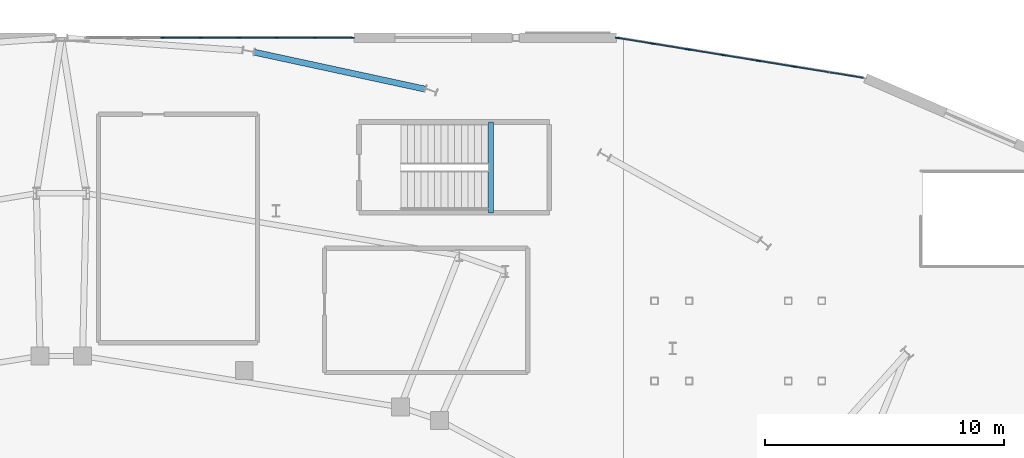
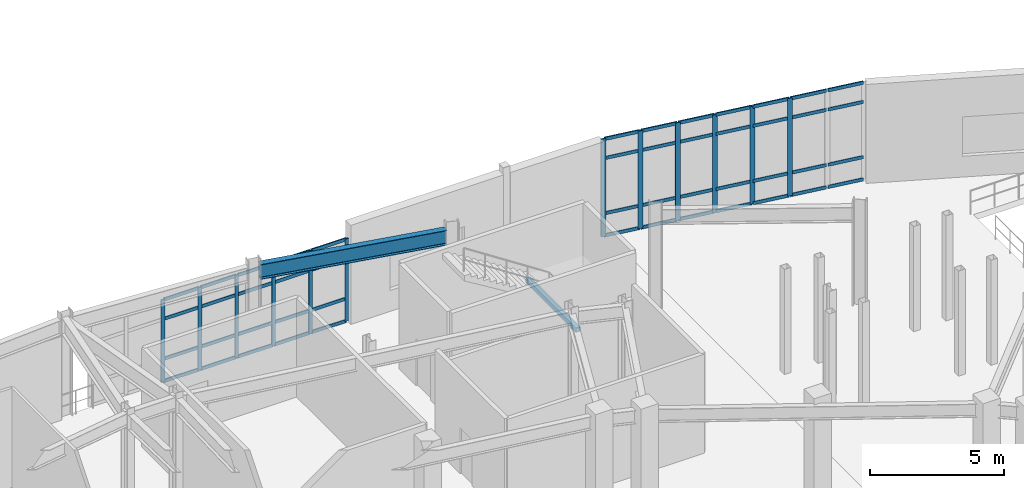
# One storey, part 46 of 86: 60 members, 2 beams, 2 elements without a shape of their own.
"""IFC4 building model written with IfcOpenShell, lengths in metres."""

from ifc_helpers import new_model, si_unit, direction, frame, origin, origin_2d, place, context, subcontext, project, spatial, rectangle, hollow_rectangle, i_section, extrude, material, material_profile, profile_set, type_object, element, aggregate, save


model = new_model("IFC4")

# Units and contexts
model_context = context("Model", 3, precision=1e-05, world=origin(), true_north=direction((0.0, 1.0)))
body_context = subcontext(model_context, "Body", "Model", "MODEL_VIEW")
ifc_project = project(units=[si_unit("LENGTHUNIT", "METRE"), si_unit("AREAUNIT", "SQUARE_METRE"), si_unit("VOLUMEUNIT", "CUBIC_METRE"), si_unit("PLANEANGLEUNIT", "RADIAN"), si_unit("MASSUNIT", "GRAM", prefix="KILO")], contexts=[model_context])

# Site, building, storey
site_placement = place(None, origin())
site = spatial("IfcSite", under=ifc_project, at=site_placement, CompositionType="ELEMENT")
building_placement = place(site_placement, origin())
building = spatial("IfcBuilding", under=site, at=building_placement, Name="Glasvene Arena", CompositionType="ELEMENT")
storey_placement = place(building_placement, frame((0.0, 0.0, 5.39990234375)))
storey = spatial("IfcBuildingStorey", under=building, at=storey_placement, Name="L01", CompositionType="ELEMENT", Elevation=5.39990234375)

# Beams
ifc_material_1 = material(Name="Steel S355J2", Category="steel")
ifc_material_profile_1 = material_profile(ifc_material_1, i_section(OverallWidth=0.253662109375, OverallDepth=0.68359375, WebThickness=0.012451171875, FlangeThickness=0.01904296875, FilletRadius=0.01513671875, at=origin_2d()), Name="UKB 686x254x140")
ifc_profile_set_1 = profile_set([ifc_material_profile_1], Name="Steel S355J2")
beam_type_1 = type_object("IfcBeamType", Name="BM-GIRD-686", PredefinedType="BEAM", material=ifc_profile_set_1)
beam_1_placement = place(storey_placement, frame((107.21630859375, 115.84814453125, 4.178466796875), z_axis=(-0.97744150895, 0.211206289161, 0.0), x_axis=(-0.211206289161, -0.97744150895, 0.0)))
element("IfcBeam", 1, at=beam_1_placement, inside=storey, type_object=beam_type_1, Name="Bowl ring chord beam L01-09", PredefinedType="BEAM", context=body_context, shape_type="SweptSolid", body=[
    extrude(i_section(OverallWidth=0.253662109375, OverallDepth=0.68359375, WebThickness=0.012451171875, FlangeThickness=0.01904296875, FilletRadius=0.01513671875, at=origin_2d()), origin(), (0.0, 0.0, 1.0), 7.3251953125),
])
ifc_material_profile_2 = material_profile(ifc_material_1, hollow_rectangle(XDim=0.199951171875, YDim=0.199951171875, WallThickness=0.010009765625, at=origin_2d()), Name="SHS 200x200x10.0")
ifc_profile_set_2 = profile_set([ifc_material_profile_2], Name="Steel S355J2")
beam_type_2 = type_object("IfcBeamType", Name="BM-LINTEL-200", PredefinedType="LINTEL", material=ifc_profile_set_2)
beam_2_placement = place(storey_placement, frame((109.9599609375, 110.679931640625, 2.080078125), z_axis=(0.0, 1.0, 0.0), x_axis=(-1.0, 0.0, 0.0)))
element("IfcBeam", 2, at=beam_2_placement, inside=storey, type_object=beam_type_2, Name="Stair half-landing support beam ST-11-L01", PredefinedType="LINTEL", context=body_context, shape_type="SweptSolid", body=[
    extrude(hollow_rectangle(XDim=0.199951171875, YDim=0.199951171875, WallThickness=0.010009765625, at=origin_2d()), origin(), (0.0, 0.0, 1.0), 3.7900390625),
])

# Curtain wall, members
ifc_material_2 = material(Name="Low-emissivity laminated double glazing", Category="glass")
curtain_wall_type_1 = type_object("IfcCurtainWallType", Name="CW-FAC-L01-1116x377", PredefinedType="USERDEFINED", material=ifc_material_2)
curtain_wall_1_placement = place(storey_placement, frame((93.0400390625, 118.0, 0.0)))
curtain_wall_1 = element("IfcCurtainWall", 3, at=curtain_wall_1_placement, inside=storey, type_object=curtain_wall_type_1, Name="Unitised curtain wall CW-F-L01-150-986-1180-13", ObjectType="CURTAIN WALL", PredefinedType="USERDEFINED")
ifc_material_3 = material(Name="Anodised architectural aluminium", Category="aluminium")
ifc_material_profile_3 = material_profile(ifc_material_3, rectangle(XDim=0.050048828125, YDim=0.159912109375, at=origin_2d()), Name="ALU MULLION 50x160")
ifc_profile_set_3 = profile_set([ifc_material_profile_3], Name="Anodised architectural aluminium")
member_type_1 = type_object("IfcMemberType", Name="CW-MUL-150", PredefinedType="MULLION", material=ifc_profile_set_3)
member_1_placement = place(storey_placement, frame((96.228515625, 118.0, 0.06005859375), z_axis=(0.0, 0.0, 1.0), x_axis=(0.0, 1.0, 0.0)))
member_1 = element("IfcMember", 4, at=member_1_placement, type_object=member_type_1, Name="CW-009 mullion 3", PredefinedType="MULLION", context=body_context, shape_type="SweptSolid", body=[
    extrude(rectangle(XDim=0.050048828125, YDim=0.159912109375, at=origin_2d()), origin(), (0.0, 0.0, 1.0), 3.77197265625),
])
member_2_placement = place(storey_placement, frame((97.82275390625, 118.0, 0.06005859375), z_axis=(0.0, 0.0, 1.0), x_axis=(0.0, 1.0, 0.0)))
member_2 = element("IfcMember", 5, at=member_2_placement, type_object=member_type_1, Name="CW-009 mullion 4", PredefinedType="MULLION", context=body_context, shape_type="SweptSolid", body=[
    extrude(rectangle(XDim=0.050048828125, YDim=0.159912109375, at=origin_2d()), origin(), (0.0, 0.0, 1.0), 3.77197265625),
])
member_3_placement = place(storey_placement, frame((99.4169921875, 118.0, 0.06005859375), z_axis=(0.0, 0.0, 1.0), x_axis=(0.0, 1.0, 0.0)))
member_3 = element("IfcMember", 6, at=member_3_placement, type_object=member_type_1, Name="CW-009 mullion 5", PredefinedType="MULLION", context=body_context, shape_type="SweptSolid", body=[
    extrude(rectangle(XDim=0.050048828125, YDim=0.159912109375, at=origin_2d()), origin(), (0.0, 0.0, 1.0), 3.77197265625),
])
member_4_placement = place(storey_placement, frame((101.01123046875, 118.0, 0.06005859375), z_axis=(0.0, 0.0, 1.0), x_axis=(0.0, 1.0, 0.0)))
member_4 = element("IfcMember", 7, at=member_4_placement, type_object=member_type_1, Name="CW-009 mullion 6", PredefinedType="MULLION", context=body_context, shape_type="SweptSolid", body=[
    extrude(rectangle(XDim=0.050048828125, YDim=0.159912109375, at=origin_2d()), origin(), (0.0, 0.0, 1.0), 3.77197265625),
])
member_5_placement = place(storey_placement, frame((102.60546875, 118.0, 0.06005859375), z_axis=(0.0, 0.0, 1.0), x_axis=(0.0, 1.0, 0.0)))
member_5 = element("IfcMember", 8, at=member_5_placement, type_object=member_type_1, Name="CW-009 mullion 7", PredefinedType="MULLION", context=body_context, shape_type="SweptSolid", body=[
    extrude(rectangle(XDim=0.050048828125, YDim=0.159912109375, at=origin_2d()), origin(), (0.0, 0.0, 1.0), 3.77197265625),
])
member_6_placement = place(storey_placement, frame((104.1748046875, 118.0, 0.06005859375), z_axis=(0.0, 0.0, 1.0), x_axis=(0.0, 1.0, 0.0)))
member_6 = element("IfcMember", 9, at=member_6_placement, type_object=member_type_1, Name="CW-009 mullion 8", PredefinedType="MULLION", context=body_context, shape_type="SweptSolid", body=[
    extrude(rectangle(XDim=0.050048828125, YDim=0.159912109375, at=origin_2d()), origin(), (0.0, 0.0, 1.0), 3.77197265625),
])

curtain_wall_type_2 = type_object("IfcCurtainWallType", Name="CW-FAC-L01-1047x446", PredefinedType="USERDEFINED", material=ifc_material_2)
curtain_wall_2_placement = place(storey_placement, frame((115.242431640625, 117.99365234375, 0.0)))
curtain_wall_2 = element("IfcCurtainWall", 10, at=curtain_wall_2_placement, inside=storey, type_object=curtain_wall_type_2, Name="Unitised curtain wall CW-F-L01-180-1204-1172-16", ObjectType="CURTAIN WALL", PredefinedType="USERDEFINED")
ifc_material_profile_4 = material_profile(ifc_material_3, rectangle(XDim=0.050048828125, YDim=0.199951171875, at=origin_2d()), Name="ALU MULLION 50x200")
ifc_profile_set_4 = profile_set([ifc_material_profile_4], Name="Anodised architectural aluminium")
member_type_2 = type_object("IfcMemberType", Name="CW-MUL-180", PredefinedType="MULLION", material=ifc_profile_set_4)
member_7_placement = place(storey_placement, frame((115.26708984375, 117.989501953125, 0.06005859375), z_axis=(0.0, 0.0, 1.0), x_axis=(0.160367114184, 0.987057439407, 0.0)))
member_7 = element("IfcMember", 11, at=member_7_placement, type_object=member_type_2, Name="CW-008 mullion 1", PredefinedType="MULLION", context=body_context, shape_type="SweptSolid", body=[
    extrude(rectangle(XDim=0.050048828125, YDim=0.199951171875, at=origin_2d()), origin(), (0.0, 0.0, 1.0), 4.4599609375),
])
member_8_placement = place(storey_placement, frame((116.71923828125, 117.753662109375, 0.06005859375), z_axis=(0.0, 0.0, 1.0), x_axis=(0.160367114184, 0.987057439407, 0.0)))
member_8 = element("IfcMember", 12, at=member_8_placement, type_object=member_type_2, Name="CW-008 mullion 2", PredefinedType="MULLION", context=body_context, shape_type="SweptSolid", body=[
    extrude(rectangle(XDim=0.050048828125, YDim=0.199951171875, at=origin_2d()), origin(), (0.0, 0.0, 1.0), 4.4599609375),
])
member_9_placement = place(storey_placement, frame((118.19580078125, 117.513671875, 0.06005859375), z_axis=(0.0, 0.0, 1.0), x_axis=(0.160367114184, 0.987057439407, 0.0)))
member_9 = element("IfcMember", 13, at=member_9_placement, type_object=member_type_2, Name="CW-008 mullion 3", PredefinedType="MULLION", context=body_context, shape_type="SweptSolid", body=[
    extrude(rectangle(XDim=0.050048828125, YDim=0.199951171875, at=origin_2d()), origin(), (0.0, 0.0, 1.0), 4.4599609375),
])
member_10_placement = place(storey_placement, frame((119.672607421875, 117.27392578125, 0.06005859375), z_axis=(0.0, 0.0, 1.0), x_axis=(0.160367114184, 0.987057439407, 0.0)))
member_10 = element("IfcMember", 14, at=member_10_placement, type_object=member_type_2, Name="CW-008 mullion 4", PredefinedType="MULLION", context=body_context, shape_type="SweptSolid", body=[
    extrude(rectangle(XDim=0.050048828125, YDim=0.199951171875, at=origin_2d()), origin(), (0.0, 0.0, 1.0), 4.4599609375),
])
member_11_placement = place(storey_placement, frame((121.1494140625, 117.033935546875, 0.06005859375), z_axis=(0.0, 0.0, 1.0), x_axis=(0.160367114184, 0.987057439407, 0.0)))
member_11 = element("IfcMember", 15, at=member_11_placement, type_object=member_type_2, Name="CW-008 mullion 5", PredefinedType="MULLION", context=body_context, shape_type="SweptSolid", body=[
    extrude(rectangle(XDim=0.050048828125, YDim=0.199951171875, at=origin_2d()), origin(), (0.0, 0.0, 1.0), 4.4599609375),
])
member_12_placement = place(storey_placement, frame((122.626220703125, 116.7939453125, 0.06005859375), z_axis=(0.0, 0.0, 1.0), x_axis=(0.160367114184, 0.987057439407, 0.0)))
member_12 = element("IfcMember", 16, at=member_12_placement, type_object=member_type_2, Name="CW-008 mullion 6", PredefinedType="MULLION", context=body_context, shape_type="SweptSolid", body=[
    extrude(rectangle(XDim=0.050048828125, YDim=0.199951171875, at=origin_2d()), origin(), (0.0, 0.0, 1.0), 4.4599609375),
])

# Member
ifc_material_profile_5 = material_profile(ifc_material_3, rectangle(XDim=0.050048828125, YDim=0.14990234375, at=origin_2d()), Name="ALU TRANSOM 50x150")
ifc_profile_set_5 = profile_set([ifc_material_profile_5], Name="Anodised architectural aluminium")
member_type_3 = type_object("IfcMemberType", Name="CW-TRN-150", PredefinedType="USERDEFINED", material=ifc_profile_set_5)
member_13_placement = place(storey_placement, frame((96.25341796875, 118.0, 0.085205078125), z_axis=(1.0, 0.0, 0.0), x_axis=(0.0, 1.0, 0.0)))
member_13 = element("IfcMember", 17, at=member_13_placement, type_object=member_type_3, Name="CW-009 transom 3.1", ObjectType="TRANSOM", PredefinedType="USERDEFINED", context=body_context, shape_type="SweptSolid", body=[
    extrude(rectangle(XDim=0.050048828125, YDim=0.14990234375, at=origin_2d()), origin(), (0.0, 0.0, 1.0), 1.54443359375),
])

member_14_placement = place(storey_placement, frame((96.25341796875, 118.0, 1.10009765625), z_axis=(1.0, 0.0, 0.0), x_axis=(0.0, 1.0, 0.0)))
member_14 = element("IfcMember", 18, at=member_14_placement, type_object=member_type_3, Name="CW-009 transom 3.2", ObjectType="TRANSOM", PredefinedType="USERDEFINED", context=body_context, shape_type="SweptSolid", body=[
    extrude(rectangle(XDim=0.050048828125, YDim=0.14990234375, at=origin_2d()), origin(), (0.0, 0.0, 1.0), 1.54443359375),
])

member_15_placement = place(storey_placement, frame((96.25341796875, 118.0, 2.93212890625), z_axis=(1.0, 0.0, 0.0), x_axis=(0.0, 1.0, 0.0)))
member_15 = element("IfcMember", 19, at=member_15_placement, type_object=member_type_3, Name="CW-009 transom 3.3", ObjectType="TRANSOM", PredefinedType="USERDEFINED", context=body_context, shape_type="SweptSolid", body=[
    extrude(rectangle(XDim=0.050048828125, YDim=0.14990234375, at=origin_2d()), origin(), (0.0, 0.0, 1.0), 1.54443359375),
])

member_16_placement = place(storey_placement, frame((96.25341796875, 118.0, 3.80712890625), z_axis=(1.0, 0.0, 0.0), x_axis=(0.0, 1.0, 0.0)))
member_16 = element("IfcMember", 20, at=member_16_placement, type_object=member_type_3, Name="CW-009 transom 3.4", ObjectType="TRANSOM", PredefinedType="USERDEFINED", context=body_context, shape_type="SweptSolid", body=[
    extrude(rectangle(XDim=0.050048828125, YDim=0.14990234375, at=origin_2d()), origin(), (0.0, 0.0, 1.0), 1.54443359375),
])

member_17_placement = place(storey_placement, frame((97.84765625, 118.0, 0.085205078125), z_axis=(1.0, 0.0, 0.0), x_axis=(0.0, 1.0, 0.0)))
member_17 = element("IfcMember", 21, at=member_17_placement, type_object=member_type_3, Name="CW-009 transom 4.1", ObjectType="TRANSOM", PredefinedType="USERDEFINED", context=body_context, shape_type="SweptSolid", body=[
    extrude(rectangle(XDim=0.050048828125, YDim=0.14990234375, at=origin_2d()), origin(), (0.0, 0.0, 1.0), 1.54443359375),
])

member_18_placement = place(storey_placement, frame((97.84765625, 118.0, 1.10009765625), z_axis=(1.0, 0.0, 0.0), x_axis=(0.0, 1.0, 0.0)))
member_18 = element("IfcMember", 22, at=member_18_placement, type_object=member_type_3, Name="CW-009 transom 4.2", ObjectType="TRANSOM", PredefinedType="USERDEFINED", context=body_context, shape_type="SweptSolid", body=[
    extrude(rectangle(XDim=0.050048828125, YDim=0.14990234375, at=origin_2d()), origin(), (0.0, 0.0, 1.0), 1.54443359375),
])

member_19_placement = place(storey_placement, frame((97.84765625, 118.0, 2.93212890625), z_axis=(1.0, 0.0, 0.0), x_axis=(0.0, 1.0, 0.0)))
member_19 = element("IfcMember", 23, at=member_19_placement, type_object=member_type_3, Name="CW-009 transom 4.3", ObjectType="TRANSOM", PredefinedType="USERDEFINED", context=body_context, shape_type="SweptSolid", body=[
    extrude(rectangle(XDim=0.050048828125, YDim=0.14990234375, at=origin_2d()), origin(), (0.0, 0.0, 1.0), 1.54443359375),
])

member_20_placement = place(storey_placement, frame((97.84765625, 118.0, 3.80712890625), z_axis=(1.0, 0.0, 0.0), x_axis=(0.0, 1.0, 0.0)))
member_20 = element("IfcMember", 24, at=member_20_placement, type_object=member_type_3, Name="CW-009 transom 4.4", ObjectType="TRANSOM", PredefinedType="USERDEFINED", context=body_context, shape_type="SweptSolid", body=[
    extrude(rectangle(XDim=0.050048828125, YDim=0.14990234375, at=origin_2d()), origin(), (0.0, 0.0, 1.0), 1.54443359375),
])

member_21_placement = place(storey_placement, frame((99.442138671875, 118.0, 0.085205078125), z_axis=(1.0, 0.0, 0.0), x_axis=(0.0, 1.0, 0.0)))
member_21 = element("IfcMember", 25, at=member_21_placement, type_object=member_type_3, Name="CW-009 transom 5.1", ObjectType="TRANSOM", PredefinedType="USERDEFINED", context=body_context, shape_type="SweptSolid", body=[
    extrude(rectangle(XDim=0.050048828125, YDim=0.14990234375, at=origin_2d()), origin(), (0.0, 0.0, 1.0), 1.544189453125),
])

member_22_placement = place(storey_placement, frame((99.442138671875, 118.0, 1.10009765625), z_axis=(1.0, 0.0, 0.0), x_axis=(0.0, 1.0, 0.0)))
member_22 = element("IfcMember", 26, at=member_22_placement, type_object=member_type_3, Name="CW-009 transom 5.2", ObjectType="TRANSOM", PredefinedType="USERDEFINED", context=body_context, shape_type="SweptSolid", body=[
    extrude(rectangle(XDim=0.050048828125, YDim=0.14990234375, at=origin_2d()), origin(), (0.0, 0.0, 1.0), 1.544189453125),
])

member_23_placement = place(storey_placement, frame((99.442138671875, 118.0, 2.93212890625), z_axis=(1.0, 0.0, 0.0), x_axis=(0.0, 1.0, 0.0)))
member_23 = element("IfcMember", 27, at=member_23_placement, type_object=member_type_3, Name="CW-009 transom 5.3", ObjectType="TRANSOM", PredefinedType="USERDEFINED", context=body_context, shape_type="SweptSolid", body=[
    extrude(rectangle(XDim=0.050048828125, YDim=0.14990234375, at=origin_2d()), origin(), (0.0, 0.0, 1.0), 1.544189453125),
])

member_24_placement = place(storey_placement, frame((99.442138671875, 118.0, 3.80712890625), z_axis=(1.0, 0.0, 0.0), x_axis=(0.0, 1.0, 0.0)))
member_24 = element("IfcMember", 28, at=member_24_placement, type_object=member_type_3, Name="CW-009 transom 5.4", ObjectType="TRANSOM", PredefinedType="USERDEFINED", context=body_context, shape_type="SweptSolid", body=[
    extrude(rectangle(XDim=0.050048828125, YDim=0.14990234375, at=origin_2d()), origin(), (0.0, 0.0, 1.0), 1.544189453125),
])

member_25_placement = place(storey_placement, frame((101.036376953125, 118.0, 0.085205078125), z_axis=(1.0, 0.0, 0.0), x_axis=(0.0, 1.0, 0.0)))
member_25 = element("IfcMember", 29, at=member_25_placement, type_object=member_type_3, Name="CW-009 transom 6.1", ObjectType="TRANSOM", PredefinedType="USERDEFINED", context=body_context, shape_type="SweptSolid", body=[
    extrude(rectangle(XDim=0.050048828125, YDim=0.14990234375, at=origin_2d()), origin(), (0.0, 0.0, 1.0), 1.544189453125),
])

member_26_placement = place(storey_placement, frame((101.036376953125, 118.0, 1.10009765625), z_axis=(1.0, 0.0, 0.0), x_axis=(0.0, 1.0, 0.0)))
member_26 = element("IfcMember", 30, at=member_26_placement, type_object=member_type_3, Name="CW-009 transom 6.2", ObjectType="TRANSOM", PredefinedType="USERDEFINED", context=body_context, shape_type="SweptSolid", body=[
    extrude(rectangle(XDim=0.050048828125, YDim=0.14990234375, at=origin_2d()), origin(), (0.0, 0.0, 1.0), 1.544189453125),
])

member_27_placement = place(storey_placement, frame((101.036376953125, 118.0, 2.93212890625), z_axis=(1.0, 0.0, 0.0), x_axis=(0.0, 1.0, 0.0)))
member_27 = element("IfcMember", 31, at=member_27_placement, type_object=member_type_3, Name="CW-009 transom 6.3", ObjectType="TRANSOM", PredefinedType="USERDEFINED", context=body_context, shape_type="SweptSolid", body=[
    extrude(rectangle(XDim=0.050048828125, YDim=0.14990234375, at=origin_2d()), origin(), (0.0, 0.0, 1.0), 1.544189453125),
])

member_28_placement = place(storey_placement, frame((101.036376953125, 118.0, 3.80712890625), z_axis=(1.0, 0.0, 0.0), x_axis=(0.0, 1.0, 0.0)))
member_28 = element("IfcMember", 32, at=member_28_placement, type_object=member_type_3, Name="CW-009 transom 6.4", ObjectType="TRANSOM", PredefinedType="USERDEFINED", context=body_context, shape_type="SweptSolid", body=[
    extrude(rectangle(XDim=0.050048828125, YDim=0.14990234375, at=origin_2d()), origin(), (0.0, 0.0, 1.0), 1.544189453125),
])

member_29_placement = place(storey_placement, frame((102.630615234375, 118.0, 0.085205078125), z_axis=(1.0, 0.0, 0.0), x_axis=(0.0, 1.0, 0.0)))
member_29 = element("IfcMember", 33, at=member_29_placement, type_object=member_type_3, Name="CW-009 transom 7.1", ObjectType="TRANSOM", PredefinedType="USERDEFINED", context=body_context, shape_type="SweptSolid", body=[
    extrude(rectangle(XDim=0.050048828125, YDim=0.14990234375, at=origin_2d()), origin(), (0.0, 0.0, 1.0), 1.519287109375),
])

member_30_placement = place(storey_placement, frame((102.630615234375, 118.0, 1.10009765625), z_axis=(1.0, 0.0, 0.0), x_axis=(0.0, 1.0, 0.0)))
member_30 = element("IfcMember", 34, at=member_30_placement, type_object=member_type_3, Name="CW-009 transom 7.2", ObjectType="TRANSOM", PredefinedType="USERDEFINED", context=body_context, shape_type="SweptSolid", body=[
    extrude(rectangle(XDim=0.050048828125, YDim=0.14990234375, at=origin_2d()), origin(), (0.0, 0.0, 1.0), 1.519287109375),
])

member_31_placement = place(storey_placement, frame((102.630615234375, 118.0, 2.93212890625), z_axis=(1.0, 0.0, 0.0), x_axis=(0.0, 1.0, 0.0)))
member_31 = element("IfcMember", 35, at=member_31_placement, type_object=member_type_3, Name="CW-009 transom 7.3", ObjectType="TRANSOM", PredefinedType="USERDEFINED", context=body_context, shape_type="SweptSolid", body=[
    extrude(rectangle(XDim=0.050048828125, YDim=0.14990234375, at=origin_2d()), origin(), (0.0, 0.0, 1.0), 1.519287109375),
])

member_32_placement = place(storey_placement, frame((102.630615234375, 118.0, 3.80712890625), z_axis=(1.0, 0.0, 0.0), x_axis=(0.0, 1.0, 0.0)))
member_32 = element("IfcMember", 36, at=member_32_placement, type_object=member_type_3, Name="CW-009 transom 7.4", ObjectType="TRANSOM", PredefinedType="USERDEFINED", context=body_context, shape_type="SweptSolid", body=[
    extrude(rectangle(XDim=0.050048828125, YDim=0.14990234375, at=origin_2d()), origin(), (0.0, 0.0, 1.0), 1.519287109375),
])

aggregate(curtain_wall_1, [member_1, member_2, member_3, member_4, member_5, member_6, member_13, member_14, member_15, member_16, member_17, member_18, member_19, member_20, member_21, member_22, member_23, member_24, member_25, member_26, member_27, member_28, member_29, member_30, member_31, member_32])

member_33_placement = place(storey_placement, frame((115.291748046875, 117.985595703125, 0.085205078125), z_axis=(0.987045254643, -0.160442093254, 0.0), x_axis=(0.160442093254, 0.987045254643, 0.0)))
member_33 = element("IfcMember", 37, at=member_33_placement, type_object=member_type_3, Name="CW-008 transom 1.1", ObjectType="TRANSOM", PredefinedType="USERDEFINED", context=body_context, shape_type="SweptSolid", body=[
    extrude(rectangle(XDim=0.050048828125, YDim=0.14990234375, at=origin_2d()), origin(), (0.0, 0.0, 1.0), 1.421142578125),
])

member_34_placement = place(storey_placement, frame((115.291748046875, 117.985595703125, 1.10009765625), z_axis=(0.987045254643, -0.160442093254, 0.0), x_axis=(0.160442093254, 0.987045254643, 0.0)))
member_34 = element("IfcMember", 38, at=member_34_placement, type_object=member_type_3, Name="CW-008 transom 1.2", ObjectType="TRANSOM", PredefinedType="USERDEFINED", context=body_context, shape_type="SweptSolid", body=[
    extrude(rectangle(XDim=0.050048828125, YDim=0.14990234375, at=origin_2d()), origin(), (0.0, 0.0, 1.0), 1.421142578125),
])

member_35_placement = place(storey_placement, frame((115.291748046875, 117.985595703125, 3.6201171875), z_axis=(0.987045254643, -0.160442093254, 0.0), x_axis=(0.160442093254, 0.987045254643, 0.0)))
member_35 = element("IfcMember", 39, at=member_35_placement, type_object=member_type_3, Name="CW-008 transom 1.3", ObjectType="TRANSOM", PredefinedType="USERDEFINED", context=body_context, shape_type="SweptSolid", body=[
    extrude(rectangle(XDim=0.050048828125, YDim=0.14990234375, at=origin_2d()), origin(), (0.0, 0.0, 1.0), 1.421142578125),
])

member_36_placement = place(storey_placement, frame((115.291748046875, 117.985595703125, 4.4951171875), z_axis=(0.987045254643, -0.160442093254, 0.0), x_axis=(0.160442093254, 0.987045254643, 0.0)))
member_36 = element("IfcMember", 40, at=member_36_placement, type_object=member_type_3, Name="CW-008 transom 1.4", ObjectType="TRANSOM", PredefinedType="USERDEFINED", context=body_context, shape_type="SweptSolid", body=[
    extrude(rectangle(XDim=0.050048828125, YDim=0.14990234375, at=origin_2d()), origin(), (0.0, 0.0, 1.0), 1.421142578125),
])

member_37_placement = place(storey_placement, frame((116.743896484375, 117.749755859375, 0.085205078125), z_axis=(0.98705206634, -0.160400181838, 0.0), x_axis=(0.160400181838, 0.98705206634, 0.0)))
member_37 = element("IfcMember", 41, at=member_37_placement, type_object=member_type_3, Name="CW-008 transom 2.1", ObjectType="TRANSOM", PredefinedType="USERDEFINED", context=body_context, shape_type="SweptSolid", body=[
    extrude(rectangle(XDim=0.050048828125, YDim=0.14990234375, at=origin_2d()), origin(), (0.0, 0.0, 1.0), 1.446044921875),
])

member_38_placement = place(storey_placement, frame((116.743896484375, 117.749755859375, 1.10009765625), z_axis=(0.98705206634, -0.160400181838, 0.0), x_axis=(0.160400181838, 0.98705206634, 0.0)))
member_38 = element("IfcMember", 42, at=member_38_placement, type_object=member_type_3, Name="CW-008 transom 2.2", ObjectType="TRANSOM", PredefinedType="USERDEFINED", context=body_context, shape_type="SweptSolid", body=[
    extrude(rectangle(XDim=0.050048828125, YDim=0.14990234375, at=origin_2d()), origin(), (0.0, 0.0, 1.0), 1.446044921875),
])

member_39_placement = place(storey_placement, frame((116.743896484375, 117.749755859375, 3.6201171875), z_axis=(0.98705206634, -0.160400181838, 0.0), x_axis=(0.160400181838, 0.98705206634, 0.0)))
member_39 = element("IfcMember", 43, at=member_39_placement, type_object=member_type_3, Name="CW-008 transom 2.3", ObjectType="TRANSOM", PredefinedType="USERDEFINED", context=body_context, shape_type="SweptSolid", body=[
    extrude(rectangle(XDim=0.050048828125, YDim=0.14990234375, at=origin_2d()), origin(), (0.0, 0.0, 1.0), 1.446044921875),
])

member_40_placement = place(storey_placement, frame((116.743896484375, 117.749755859375, 4.4951171875), z_axis=(0.98705206634, -0.160400181838, 0.0), x_axis=(0.160400181838, 0.98705206634, 0.0)))
member_40 = element("IfcMember", 44, at=member_40_placement, type_object=member_type_3, Name="CW-008 transom 2.4", ObjectType="TRANSOM", PredefinedType="USERDEFINED", context=body_context, shape_type="SweptSolid", body=[
    extrude(rectangle(XDim=0.050048828125, YDim=0.14990234375, at=origin_2d()), origin(), (0.0, 0.0, 1.0), 1.446044921875),
])

member_41_placement = place(storey_placement, frame((118.220703125, 117.509765625, 0.085205078125), z_axis=(0.98705206634, -0.160400181838, 0.0), x_axis=(0.160400181838, 0.98705206634, 0.0)))
member_41 = element("IfcMember", 45, at=member_41_placement, type_object=member_type_3, Name="CW-008 transom 3.1", ObjectType="TRANSOM", PredefinedType="USERDEFINED", context=body_context, shape_type="SweptSolid", body=[
    extrude(rectangle(XDim=0.050048828125, YDim=0.14990234375, at=origin_2d()), origin(), (0.0, 0.0, 1.0), 1.446044921875),
])

member_42_placement = place(storey_placement, frame((118.220703125, 117.509765625, 1.10009765625), z_axis=(0.98705206634, -0.160400181838, 0.0), x_axis=(0.160400181838, 0.98705206634, 0.0)))
member_42 = element("IfcMember", 46, at=member_42_placement, type_object=member_type_3, Name="CW-008 transom 3.2", ObjectType="TRANSOM", PredefinedType="USERDEFINED", context=body_context, shape_type="SweptSolid", body=[
    extrude(rectangle(XDim=0.050048828125, YDim=0.14990234375, at=origin_2d()), origin(), (0.0, 0.0, 1.0), 1.446044921875),
])

member_43_placement = place(storey_placement, frame((118.220703125, 117.509765625, 3.6201171875), z_axis=(0.98705206634, -0.160400181838, 0.0), x_axis=(0.160400181838, 0.98705206634, 0.0)))
member_43 = element("IfcMember", 47, at=member_43_placement, type_object=member_type_3, Name="CW-008 transom 3.3", ObjectType="TRANSOM", PredefinedType="USERDEFINED", context=body_context, shape_type="SweptSolid", body=[
    extrude(rectangle(XDim=0.050048828125, YDim=0.14990234375, at=origin_2d()), origin(), (0.0, 0.0, 1.0), 1.446044921875),
])

member_44_placement = place(storey_placement, frame((118.220703125, 117.509765625, 4.4951171875), z_axis=(0.98705206634, -0.160400181838, 0.0), x_axis=(0.160400181838, 0.98705206634, 0.0)))
member_44 = element("IfcMember", 48, at=member_44_placement, type_object=member_type_3, Name="CW-008 transom 3.4", ObjectType="TRANSOM", PredefinedType="USERDEFINED", context=body_context, shape_type="SweptSolid", body=[
    extrude(rectangle(XDim=0.050048828125, YDim=0.14990234375, at=origin_2d()), origin(), (0.0, 0.0, 1.0), 1.446044921875),
])

member_45_placement = place(storey_placement, frame((119.697265625, 117.269775390625, 0.085205078125), z_axis=(0.987056409266, -0.160373454558, 0.0), x_axis=(0.160373454558, 0.987056409266, 0.0)))
member_45 = element("IfcMember", 49, at=member_45_placement, type_object=member_type_3, Name="CW-008 transom 4.1", ObjectType="TRANSOM", PredefinedType="USERDEFINED", context=body_context, shape_type="SweptSolid", body=[
    extrude(rectangle(XDim=0.050048828125, YDim=0.14990234375, at=origin_2d()), origin(), (0.0, 0.0, 1.0), 1.4462890625),
])

member_46_placement = place(storey_placement, frame((119.697265625, 117.269775390625, 1.10009765625), z_axis=(0.987056409266, -0.160373454558, 0.0), x_axis=(0.160373454558, 0.987056409266, 0.0)))
member_46 = element("IfcMember", 50, at=member_46_placement, type_object=member_type_3, Name="CW-008 transom 4.2", ObjectType="TRANSOM", PredefinedType="USERDEFINED", context=body_context, shape_type="SweptSolid", body=[
    extrude(rectangle(XDim=0.050048828125, YDim=0.14990234375, at=origin_2d()), origin(), (0.0, 0.0, 1.0), 1.4462890625),
])

member_47_placement = place(storey_placement, frame((119.697265625, 117.269775390625, 3.6201171875), z_axis=(0.987056409266, -0.160373454558, 0.0), x_axis=(0.160373454558, 0.987056409266, 0.0)))
member_47 = element("IfcMember", 51, at=member_47_placement, type_object=member_type_3, Name="CW-008 transom 4.3", ObjectType="TRANSOM", PredefinedType="USERDEFINED", context=body_context, shape_type="SweptSolid", body=[
    extrude(rectangle(XDim=0.050048828125, YDim=0.14990234375, at=origin_2d()), origin(), (0.0, 0.0, 1.0), 1.4462890625),
])

member_48_placement = place(storey_placement, frame((119.697265625, 117.269775390625, 4.4951171875), z_axis=(0.987056409266, -0.160373454558, 0.0), x_axis=(0.160373454558, 0.987056409266, 0.0)))
member_48 = element("IfcMember", 52, at=member_48_placement, type_object=member_type_3, Name="CW-008 transom 4.4", ObjectType="TRANSOM", PredefinedType="USERDEFINED", context=body_context, shape_type="SweptSolid", body=[
    extrude(rectangle(XDim=0.050048828125, YDim=0.14990234375, at=origin_2d()), origin(), (0.0, 0.0, 1.0), 1.4462890625),
])

member_49_placement = place(storey_placement, frame((121.174072265625, 117.02978515625, 0.085205078125), z_axis=(0.987056409266, -0.160373454558, 0.0), x_axis=(0.160373454558, 0.987056409266, 0.0)))
member_49 = element("IfcMember", 53, at=member_49_placement, type_object=member_type_3, Name="CW-008 transom 5.1", ObjectType="TRANSOM", PredefinedType="USERDEFINED", context=body_context, shape_type="SweptSolid", body=[
    extrude(rectangle(XDim=0.050048828125, YDim=0.14990234375, at=origin_2d()), origin(), (0.0, 0.0, 1.0), 1.4462890625),
])

member_50_placement = place(storey_placement, frame((121.174072265625, 117.02978515625, 1.10009765625), z_axis=(0.987056409266, -0.160373454558, 0.0), x_axis=(0.160373454558, 0.987056409266, 0.0)))
member_50 = element("IfcMember", 54, at=member_50_placement, type_object=member_type_3, Name="CW-008 transom 5.2", ObjectType="TRANSOM", PredefinedType="USERDEFINED", context=body_context, shape_type="SweptSolid", body=[
    extrude(rectangle(XDim=0.050048828125, YDim=0.14990234375, at=origin_2d()), origin(), (0.0, 0.0, 1.0), 1.4462890625),
])

member_51_placement = place(storey_placement, frame((121.174072265625, 117.02978515625, 3.6201171875), z_axis=(0.987056409266, -0.160373454558, 0.0), x_axis=(0.160373454558, 0.987056409266, 0.0)))
member_51 = element("IfcMember", 55, at=member_51_placement, type_object=member_type_3, Name="CW-008 transom 5.3", ObjectType="TRANSOM", PredefinedType="USERDEFINED", context=body_context, shape_type="SweptSolid", body=[
    extrude(rectangle(XDim=0.050048828125, YDim=0.14990234375, at=origin_2d()), origin(), (0.0, 0.0, 1.0), 1.4462890625),
])

member_52_placement = place(storey_placement, frame((121.174072265625, 117.02978515625, 4.4951171875), z_axis=(0.987056409266, -0.160373454558, 0.0), x_axis=(0.160373454558, 0.987056409266, 0.0)))
member_52 = element("IfcMember", 56, at=member_52_placement, type_object=member_type_3, Name="CW-008 transom 5.4", ObjectType="TRANSOM", PredefinedType="USERDEFINED", context=body_context, shape_type="SweptSolid", body=[
    extrude(rectangle(XDim=0.050048828125, YDim=0.14990234375, at=origin_2d()), origin(), (0.0, 0.0, 1.0), 1.4462890625),
])

member_53_placement = place(storey_placement, frame((122.65087890625, 116.7900390625, 0.085205078125), z_axis=(0.987056409266, -0.160373454558, 0.0), x_axis=(0.160373454558, 0.987056409266, 0.0)))
member_53 = element("IfcMember", 57, at=member_53_placement, type_object=member_type_3, Name="CW-008 transom 6.1", ObjectType="TRANSOM", PredefinedType="USERDEFINED", context=body_context, shape_type="SweptSolid", body=[
    extrude(rectangle(XDim=0.050048828125, YDim=0.14990234375, at=origin_2d()), origin(), (0.0, 0.0, 1.0), 1.4462890625),
])

member_54_placement = place(storey_placement, frame((122.65087890625, 116.7900390625, 1.10009765625), z_axis=(0.987056409266, -0.160373454558, 0.0), x_axis=(0.160373454558, 0.987056409266, 0.0)))
member_54 = element("IfcMember", 58, at=member_54_placement, type_object=member_type_3, Name="CW-008 transom 6.2", ObjectType="TRANSOM", PredefinedType="USERDEFINED", context=body_context, shape_type="SweptSolid", body=[
    extrude(rectangle(XDim=0.050048828125, YDim=0.14990234375, at=origin_2d()), origin(), (0.0, 0.0, 1.0), 1.4462890625),
])

member_55_placement = place(storey_placement, frame((122.65087890625, 116.7900390625, 3.6201171875), z_axis=(0.987056409266, -0.160373454558, 0.0), x_axis=(0.160373454558, 0.987056409266, 0.0)))
member_55 = element("IfcMember", 59, at=member_55_placement, type_object=member_type_3, Name="CW-008 transom 6.3", ObjectType="TRANSOM", PredefinedType="USERDEFINED", context=body_context, shape_type="SweptSolid", body=[
    extrude(rectangle(XDim=0.050048828125, YDim=0.14990234375, at=origin_2d()), origin(), (0.0, 0.0, 1.0), 1.4462890625),
])

member_56_placement = place(storey_placement, frame((122.65087890625, 116.7900390625, 4.4951171875), z_axis=(0.987056409266, -0.160373454558, 0.0), x_axis=(0.160373454558, 0.987056409266, 0.0)))
member_56 = element("IfcMember", 60, at=member_56_placement, type_object=member_type_3, Name="CW-008 transom 6.4", ObjectType="TRANSOM", PredefinedType="USERDEFINED", context=body_context, shape_type="SweptSolid", body=[
    extrude(rectangle(XDim=0.050048828125, YDim=0.14990234375, at=origin_2d()), origin(), (0.0, 0.0, 1.0), 1.4462890625),
])

member_57_placement = place(storey_placement, frame((124.127685546875, 116.550048828125, 0.085205078125), z_axis=(0.987040831626, -0.160469301434, 0.0), x_axis=(0.160469301434, 0.987040831626, 0.0)))
member_57 = element("IfcMember", 61, at=member_57_placement, type_object=member_type_3, Name="CW-008 transom 7.1", ObjectType="TRANSOM", PredefinedType="USERDEFINED", context=body_context, shape_type="SweptSolid", body=[
    extrude(rectangle(XDim=0.050048828125, YDim=0.14990234375, at=origin_2d()), origin(), (0.0, 0.0, 1.0), 1.4208984375),
])

member_58_placement = place(storey_placement, frame((124.127685546875, 116.550048828125, 1.10009765625), z_axis=(0.987040831626, -0.160469301434, 0.0), x_axis=(0.160469301434, 0.987040831626, 0.0)))
member_58 = element("IfcMember", 62, at=member_58_placement, type_object=member_type_3, Name="CW-008 transom 7.2", ObjectType="TRANSOM", PredefinedType="USERDEFINED", context=body_context, shape_type="SweptSolid", body=[
    extrude(rectangle(XDim=0.050048828125, YDim=0.14990234375, at=origin_2d()), origin(), (0.0, 0.0, 1.0), 1.4208984375),
])

member_59_placement = place(storey_placement, frame((124.127685546875, 116.550048828125, 3.6201171875), z_axis=(0.987040831626, -0.160469301434, 0.0), x_axis=(0.160469301434, 0.987040831626, 0.0)))
member_59 = element("IfcMember", 63, at=member_59_placement, type_object=member_type_3, Name="CW-008 transom 7.3", ObjectType="TRANSOM", PredefinedType="USERDEFINED", context=body_context, shape_type="SweptSolid", body=[
    extrude(rectangle(XDim=0.050048828125, YDim=0.14990234375, at=origin_2d()), origin(), (0.0, 0.0, 1.0), 1.4208984375),
])

member_60_placement = place(storey_placement, frame((124.127685546875, 116.550048828125, 4.4951171875), z_axis=(0.987040831626, -0.160469301434, 0.0), x_axis=(0.160469301434, 0.987040831626, 0.0)))
member_60 = element("IfcMember", 64, at=member_60_placement, type_object=member_type_3, Name="CW-008 transom 7.4", ObjectType="TRANSOM", PredefinedType="USERDEFINED", context=body_context, shape_type="SweptSolid", body=[
    extrude(rectangle(XDim=0.050048828125, YDim=0.14990234375, at=origin_2d()), origin(), (0.0, 0.0, 1.0), 1.4208984375),
])

aggregate(curtain_wall_2, [member_7, member_8, member_9, member_10, member_11, member_12, member_33, member_34, member_35, member_36, member_37, member_38, member_39, member_40, member_41, member_42, member_43, member_44, member_45, member_46, member_47, member_48, member_49, member_50, member_51, member_52, member_53, member_54, member_55, member_56, member_57, member_58, member_59, member_60])

save(model, "model.ifc")
